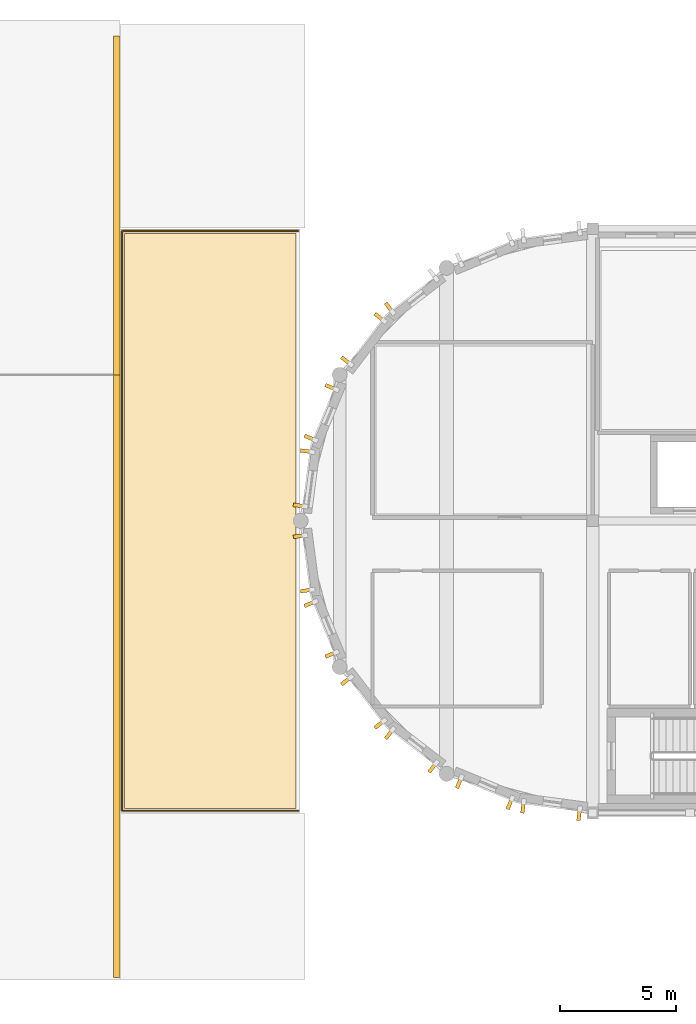
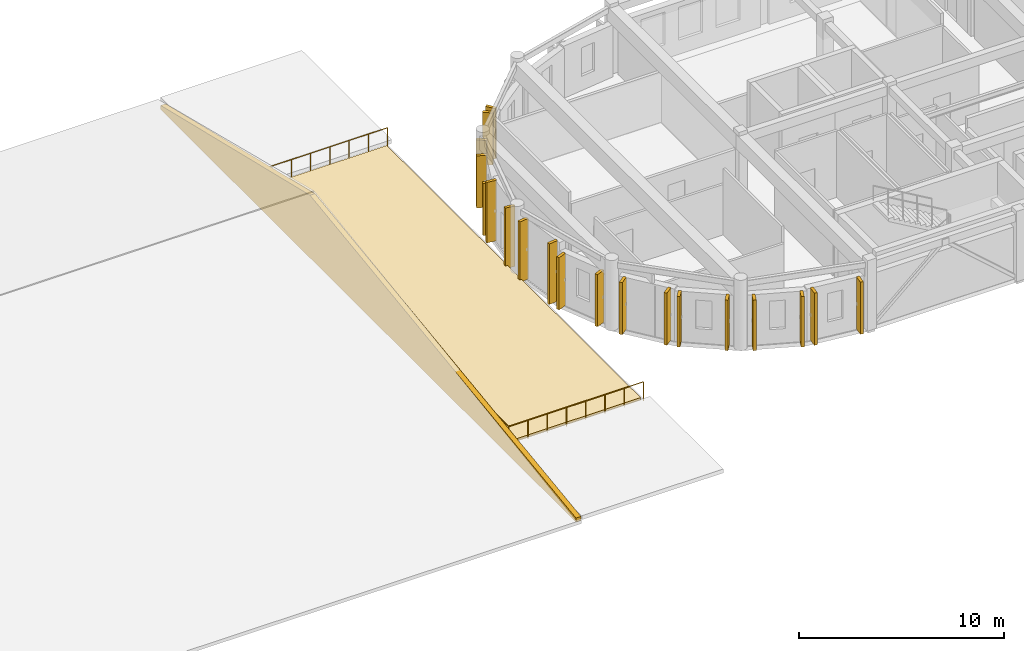
# One storey, part 9 of 12: 21 coverings, 1 railing.
"""IFC4 building model written with IfcOpenShell, lengths in metres."""

from ifc_helpers import new_model, si_unit, direction, frame, origin, origin_2d, place, context, subcontext, project, spatial, polyline, rectangle, circle, outline, extrude, material, layer, layer_set, type_object, element, save


model = new_model("IFC4")

# Units and contexts
model_context = context("Model", 3, precision=1e-05, world=origin(), true_north=direction((0.0, 1.0)))
body_context = subcontext(model_context, "Body", "Model", "MODEL_VIEW")
ifc_project = project(units=[si_unit("LENGTHUNIT", "METRE"), si_unit("AREAUNIT", "SQUARE_METRE"), si_unit("VOLUMEUNIT", "CUBIC_METRE"), si_unit("PLANEANGLEUNIT", "RADIAN"), si_unit("MASSUNIT", "GRAM", prefix="KILO")], contexts=[model_context])

# Site, building, storey
site_placement = place(None, origin())
site = spatial("IfcSite", under=ifc_project, at=site_placement, CompositionType="ELEMENT")
building_placement = place(site_placement, origin())
building = spatial("IfcBuilding", under=site, at=building_placement, Name="Tarnavel Promenade Courthouse", CompositionType="ELEMENT")
storey_placement = place(building_placement, frame((0.0, 0.0, 27.0)))
storey = spatial("IfcBuildingStorey", under=building, at=storey_placement, Name="L07", CompositionType="ELEMENT", Elevation=27.0)

# Covering
ifc_material_1 = material(Name="Carved Buff Limestone Floor-Band Cornice Ledge", Category="masonry")
ifc_layer_1 = layer(ifc_material_1, 0.320068359375)
ifc_layer_set_1 = layer_set([ifc_layer_1], Name="Carved Buff Limestone Floor-Band Cornice Ledge")
covering_type_1 = type_object("IfcCoveringType", Name="Carved Buff Limestone Floor-Band Cornice Ledge COV-LEDGE-320 (320 mm)", PredefinedType="CLADDING", material=ifc_layer_set_1)
covering_1_placement = place(storey_placement, frame((38.280029296875, 72.10009765625, -0.10009765625), z_axis=(0.0, 0.0, 1.0), x_axis=(0.0, 1.0, 0.0)))
element("IfcCovering", 1, at=covering_1_placement, inside=storey, type_object=covering_type_1, Name="L07 Trial Wing East Setback Ashlar Gable Tympanum", PredefinedType="CLADDING", context=body_context, shape_type="SweptSolid", body=[
    extrude(outline(polyline([(0.0, 0.0), (40.599853515625, 0.0), (40.60009765625, 0.25), (26.0, 3.739990234375), (0.0, 0.25), (0.0, 0.0)])), frame((0.0, 0.14013671875, 0.0), z_axis=(0.0, -1.0, 0.0), x_axis=(1.0, 0.0, 0.0)), (0.0, 0.0, 1.0), 0.280029296875),
])

# Railing
ifc_material_2 = material(Name="Carved Limestone and Bronze Terrace Balustrade", Category="masonry")
railing_type = type_object("IfcRailingType", Name="Carved Limestone and Bronze Terrace Balustrade (RL-BAL-1150)", PredefinedType="BALUSTRADE", material=ifc_material_2)
railing_placement = place(storey_placement, frame((46.10009765625, 79.300048828125, 0.0)))
element("IfcRailing", 2, at=railing_placement, inside=storey, type_object=railing_type, Name="L07 Upper Judicial Roof-Garden Terrace Perimeter Balustrade", PredefinedType="BALUSTRADE", context=body_context, shape_type="SweptSolid", body=[
    extrude(circle(Radius=0.02392578125, at=origin_2d()), frame((0.0, 0.0, 1.1259765625), z_axis=(-1.0, 0.0, 0.0), x_axis=(0.0, -1.0, 0.0)), (0.0, 0.0, 1.0), 7.60009765625),
    extrude(circle(Radius=0.02392578125, at=origin_2d()), frame((-7.60009765625, 0.0, 1.1259765625), z_axis=(0.0, 1.0, 0.0), x_axis=(-1.0, 0.0, 0.0)), (0.0, 0.0, 1.0), 25.0),
    extrude(circle(Radius=0.02392578125, at=origin_2d()), frame((-7.60009765625, 25.0, 1.1259765625), z_axis=(1.0, 0.0, 0.0), x_axis=(0.0, 1.0, 0.0)), (0.0, 0.0, 1.0), 7.60009765625),
    extrude(circle(Radius=0.02099609375, at=origin_2d()), origin(), (0.0, 0.0, 1.0), 1.101806640625),
    extrude(circle(Radius=0.02099609375, at=origin_2d()), frame((-1.085693359375, 0.0, 0.0)), (0.0, 0.0, 1.0), 1.101806640625),
    extrude(circle(Radius=0.02099609375, at=origin_2d()), frame((-2.17138671875, 0.0, 0.0)), (0.0, 0.0, 1.0), 1.101806640625),
    extrude(circle(Radius=0.02099609375, at=origin_2d()), frame((-3.257080078125, 0.0, 0.0)), (0.0, 0.0, 1.0), 1.101806640625),
    extrude(circle(Radius=0.02099609375, at=origin_2d()), frame((-4.343017578125, 0.0, 0.0)), (0.0, 0.0, 1.0), 1.101806640625),
    extrude(circle(Radius=0.02099609375, at=origin_2d()), frame((-5.4287109375, 0.0, 0.0)), (0.0, 0.0, 1.0), 1.101806640625),
    extrude(circle(Radius=0.02099609375, at=origin_2d()), frame((-6.514404296875, 0.0, 0.0)), (0.0, 0.0, 1.0), 1.101806640625),
    extrude(circle(Radius=0.02099609375, at=origin_2d()), frame((-7.60009765625, 0.0, 0.0)), (0.0, 0.0, 1.0), 1.101806640625),
    extrude(circle(Radius=0.02099609375, at=origin_2d()), frame((-7.60009765625, 1.1904296875, 0.0)), (0.0, 0.0, 1.0), 1.101806640625),
    extrude(circle(Radius=0.02099609375, at=origin_2d()), frame((-7.60009765625, 2.380859375, 0.0)), (0.0, 0.0, 1.0), 1.101806640625),
    extrude(circle(Radius=0.02099609375, at=origin_2d()), frame((-7.60009765625, 3.571533203125, 0.0)), (0.0, 0.0, 1.0), 1.101806640625),
    extrude(circle(Radius=0.02099609375, at=origin_2d()), frame((-7.60009765625, 4.761962890625, 0.0)), (0.0, 0.0, 1.0), 1.101806640625),
    extrude(circle(Radius=0.02099609375, at=origin_2d()), frame((-7.60009765625, 5.952392578125, 0.0)), (0.0, 0.0, 1.0), 1.101806640625),
    extrude(circle(Radius=0.02099609375, at=origin_2d()), frame((-7.60009765625, 7.142822265625, 0.0)), (0.0, 0.0, 1.0), 1.101806640625),
    extrude(circle(Radius=0.02099609375, at=origin_2d()), frame((-7.60009765625, 8.333251953125, 0.0)), (0.0, 0.0, 1.0), 1.101806640625),
    extrude(circle(Radius=0.02099609375, at=origin_2d()), frame((-7.60009765625, 9.52392578125, 0.0)), (0.0, 0.0, 1.0), 1.101806640625),
    extrude(circle(Radius=0.02099609375, at=origin_2d()), frame((-7.60009765625, 10.71435546875, 0.0)), (0.0, 0.0, 1.0), 1.101806640625),
    extrude(circle(Radius=0.02099609375, at=origin_2d()), frame((-7.60009765625, 11.90478515625, 0.0)), (0.0, 0.0, 1.0), 1.101806640625),
    extrude(circle(Radius=0.02099609375, at=origin_2d()), frame((-7.60009765625, 13.09521484375, 0.0)), (0.0, 0.0, 1.0), 1.101806640625),
    extrude(circle(Radius=0.02099609375, at=origin_2d()), frame((-7.60009765625, 14.28564453125, 0.0)), (0.0, 0.0, 1.0), 1.101806640625),
    extrude(circle(Radius=0.02099609375, at=origin_2d()), frame((-7.60009765625, 15.47607421875, 0.0)), (0.0, 0.0, 1.0), 1.101806640625),
    extrude(circle(Radius=0.02099609375, at=origin_2d()), frame((-7.60009765625, 16.666748046875, 0.0)), (0.0, 0.0, 1.0), 1.101806640625),
    extrude(circle(Radius=0.02099609375, at=origin_2d()), frame((-7.60009765625, 17.857177734375, 0.0)), (0.0, 0.0, 1.0), 1.101806640625),
    extrude(circle(Radius=0.02099609375, at=origin_2d()), frame((-7.60009765625, 19.047607421875, 0.0)), (0.0, 0.0, 1.0), 1.101806640625),
    extrude(circle(Radius=0.02099609375, at=origin_2d()), frame((-7.60009765625, 20.238037109375, 0.0)), (0.0, 0.0, 1.0), 1.101806640625),
    extrude(circle(Radius=0.02099609375, at=origin_2d()), frame((-7.60009765625, 21.428466796875, 0.0)), (0.0, 0.0, 1.0), 1.101806640625),
    extrude(circle(Radius=0.02099609375, at=origin_2d()), frame((-7.60009765625, 22.619140625, 0.0)), (0.0, 0.0, 1.0), 1.101806640625),
    extrude(circle(Radius=0.02099609375, at=origin_2d()), frame((-7.60009765625, 23.8095703125, 0.0)), (0.0, 0.0, 1.0), 1.101806640625),
    extrude(circle(Radius=0.02099609375, at=origin_2d()), frame((-7.60009765625, 25.0, 0.0)), (0.0, 0.0, 1.0), 1.101806640625),
    extrude(circle(Radius=0.02099609375, at=origin_2d()), frame((-6.514404296875, 25.0, 0.0)), (0.0, 0.0, 1.0), 1.101806640625),
    extrude(circle(Radius=0.02099609375, at=origin_2d()), frame((-5.4287109375, 25.0, 0.0)), (0.0, 0.0, 1.0), 1.101806640625),
    extrude(circle(Radius=0.02099609375, at=origin_2d()), frame((-4.343017578125, 25.0, 0.0)), (0.0, 0.0, 1.0), 1.101806640625),
    extrude(circle(Radius=0.02099609375, at=origin_2d()), frame((-3.257080078125, 25.0, 0.0)), (0.0, 0.0, 1.0), 1.101806640625),
    extrude(circle(Radius=0.02099609375, at=origin_2d()), frame((-2.17138671875, 25.0, 0.0)), (0.0, 0.0, 1.0), 1.101806640625),
    extrude(circle(Radius=0.02099609375, at=origin_2d()), frame((-1.085693359375, 25.0, 0.0)), (0.0, 0.0, 1.0), 1.101806640625),
    extrude(circle(Radius=0.02099609375, at=origin_2d()), frame((0.0, 25.0, 0.0)), (0.0, 0.0, 1.0), 1.101806640625),
])

# Coverings
ifc_material_3 = material(Name="Patinated Copper-Bronze Fluted Pier Cladding")
ifc_layer_2 = layer(ifc_material_3, 0.52001953125)
ifc_layer_set_2 = layer_set([ifc_layer_2], Name="Patinated Copper-Bronze Fluted Pier Cladding")
covering_type_2 = type_object("IfcCoveringType", Name="Patinated Copper-Bronze Fluted Pier Cladding COV-PIER-520 (520 mm)", PredefinedType="CLADDING", material=ifc_layer_set_2)
covering_2_placement = place(storey_placement, frame((50.02734375, 100.9912109375, 0.0), z_axis=(0.0, 0.0, 1.0), x_axis=(-0.793353340291, -0.608761429009, 0.0)))
element("IfcCovering", 3, at=covering_2_placement, inside=storey, type_object=covering_type_2, Name="L07 W Drum Fluted Copper Pier 0228", PredefinedType="CLADDING", context=body_context, shape_type="SweptSolid", body=[
    extrude(rectangle(XDim=0.159912109375, YDim=0.52001953125, at=origin_2d()), origin(), (0.0, 0.0, 1.0), 3.010009765625),
])
for number, where, z_axis, x_axis, name in (
    (4, (49.60888671875, 100.572509765625, 0.0), (0.0, 0.0, 1.0), (-0.608761429009, -0.793353340291, 0.0), "L07 W Drum Fluted Copper Pier 0229"),
    (5, (48.169677734375, 98.697021484375, 0.0), (0.0, 0.0, 1.0), (-0.608761429009, -0.793353340291, 0.0), "L07 W Drum Fluted Copper Pier 0230"),
    (6, (47.511962890625, 97.5576171875, 0.0), (0.0, 0.0, 1.0), (-0.382683432365, -0.923879532511, 0.0), "L07 W Drum Fluted Copper Pier 0231"),
    (7, (46.607177734375, 95.373291015625, 0.0), (0.0, 0.0, 1.0), (-0.382683432365, -0.923879532511, 0.0), "L07 W Drum Fluted Copper Pier 0232"),
):
    element("IfcCovering", number, at=place(storey_placement, frame(where, z_axis=z_axis, x_axis=x_axis)), inside=storey, type_object=covering_type_2, Name=name, PredefinedType="CLADDING", context=body_context, shape_type="SweptSolid", body=[
        extrude(rectangle(XDim=0.159912109375, YDim=0.52001953125, at=origin_2d()), origin(), (0.0, 0.0, 1.0), 3.110107421875),
    ])
for number, where, z_axis, x_axis, name in (
    (8, (46.4541015625, 94.8017578125, 0.0), (0.0, 0.0, 1.0), (-0.13052619222, -0.991444861374, 0.0), "L07 W Drum Fluted Copper Pier 0233"),
    (9, (46.1455078125, 92.457763671875, 0.0), (0.0, 0.0, 1.0), (-0.13052619222, -0.991444861374, 0.0), "L07 W Drum Fluted Copper Pier 0234"),
    (10, (46.1455078125, 91.14208984375, 0.0), (0.0, 0.0, 1.0), (0.13052619222, -0.991444861374, 0.0), "L07 W Drum Fluted Copper Pier 0235"),
    (11, (46.4541015625, 88.798095703125, 0.0), (0.0, 0.0, 1.0), (0.13052619222, -0.991444861374, 0.0), "L07 W Drum Fluted Copper Pier 0236"),
):
    element("IfcCovering", number, at=place(storey_placement, frame(where, z_axis=z_axis, x_axis=x_axis)), inside=storey, type_object=covering_type_2, Name=name, PredefinedType="CLADDING", context=body_context, shape_type="SweptSolid", body=[
        extrude(rectangle(XDim=0.159912109375, YDim=0.52001953125, at=origin_2d()), origin(), (0.0, 0.0, 1.0), 3.610107421875),
    ])
for number, where, z_axis, x_axis, name in (
    (12, (46.607177734375, 88.2265625, 0.0), (0.0, 0.0, 1.0), (0.382683432365, -0.923879532511, 0.0), "L07 W Drum Fluted Copper Pier 0237"),
    (13, (47.511962890625, 86.042236328125, 0.0), (0.0, 0.0, 1.0), (0.382683432365, -0.923879532511, 0.0), "L07 W Drum Fluted Copper Pier 0238"),
    (14, (48.169677734375, 84.903076171875, 0.0), (0.0, 0.0, 1.0), (0.608761429009, -0.793353340291, 0.0), "L07 W Drum Fluted Copper Pier 0239"),
    (15, (49.60888671875, 83.02734375, 0.0), (0.0, 0.0, 1.0), (0.608761429009, -0.793353340291, 0.0), "L07 W Drum Fluted Copper Pier 0240"),
):
    element("IfcCovering", number, at=place(storey_placement, frame(where, z_axis=z_axis, x_axis=x_axis)), inside=storey, type_object=covering_type_2, Name=name, PredefinedType="CLADDING", context=body_context, shape_type="SweptSolid", body=[
        extrude(rectangle(XDim=0.159912109375, YDim=0.52001953125, at=origin_2d()), origin(), (0.0, 0.0, 1.0), 3.110107421875),
    ])
for number, where, z_axis, x_axis, name in (
    (16, (50.02734375, 82.60888671875, 0.0), (0.0, 0.0, 1.0), (0.793353340291, -0.608761429009, 0.0), "L07 W Drum Fluted Copper Pier 0241"),
    (17, (51.903076171875, 81.169677734375, 0.0), (0.0, 0.0, 1.0), (0.793353340291, -0.608761429009, 0.0), "L07 W Drum Fluted Copper Pier 0242"),
    (18, (53.042236328125, 80.511962890625, 0.0), (0.0, 0.0, 1.0), (0.923879532511, -0.382683432365, 0.0), "L07 W Drum Fluted Copper Pier 0243"),
    (19, (55.2265625, 79.607177734375, 0.0), (0.0, 0.0, 1.0), (0.923879532511, -0.382683432365, 0.0), "L07 W Drum Fluted Copper Pier 0244"),
):
    element("IfcCovering", number, at=place(storey_placement, frame(where, z_axis=z_axis, x_axis=x_axis)), inside=storey, type_object=covering_type_2, Name=name, PredefinedType="CLADDING", context=body_context, shape_type="SweptSolid", body=[
        extrude(rectangle(XDim=0.159912109375, YDim=0.52001953125, at=origin_2d()), origin(), (0.0, 0.0, 1.0), 3.010009765625),
    ])
for number, where, z_axis, x_axis, name in (
    (20, (55.798095703125, 79.4541015625, 0.0), (0.0, 0.0, 1.0), (0.991444861374, -0.13052619222, 0.0), "L07 W Drum Fluted Copper Pier 0245"),
    (21, (58.216552734375, 79.135498046875, 0.0), (0.0, 0.0, 1.0), (0.991444861374, -0.13052619222, 0.0), "L07 W Drum Fluted Copper Pier 0246"),
):
    element("IfcCovering", number, at=place(storey_placement, frame(where, z_axis=z_axis, x_axis=x_axis)), inside=storey, type_object=covering_type_2, Name=name, PredefinedType="CLADDING", context=body_context, shape_type="SweptSolid", body=[
        extrude(rectangle(XDim=0.159912109375, YDim=0.52001953125, at=origin_2d()), origin(), (0.0, 0.0, 1.0), 3.110107421875),
    ])
ifc_material_4 = material(Name="Subarctic Sedum Planted Roof-Garden Build-Up")
ifc_layer_3 = layer(ifc_material_4, 0.159912109375)
ifc_layer_set_3 = layer_set([ifc_layer_3], Name="Subarctic Sedum Planted Roof-Garden Build-Up")
covering_type_3 = type_object("IfcCoveringType", Name="Subarctic Sedum Planted Roof-Garden Build-Up COV-RF-GREEN-160 (160 mm)", PredefinedType="ROOFING", material=ifc_layer_set_3)
covering_3_placement = place(storey_placement, origin())
element("IfcCovering", 22, at=covering_3_placement, inside=storey, type_object=covering_type_3, Name="L07 Upper Judicial Terrace Planted Roof-Garden Build-Up", PredefinedType="ROOFING", context=body_context, shape_type="SweptSolid", body=[
    extrude(outline(polyline([(38.60009765625, 79.39990234375), (46.0, 79.39990234375), (46.0, 104.199951171875), (38.60009765625, 104.199951171875), (38.60009765625, 79.39990234375)])), origin(), (0.0, 0.0, 1.0), 0.159912109375),
])

save(model, "model.ifc")
